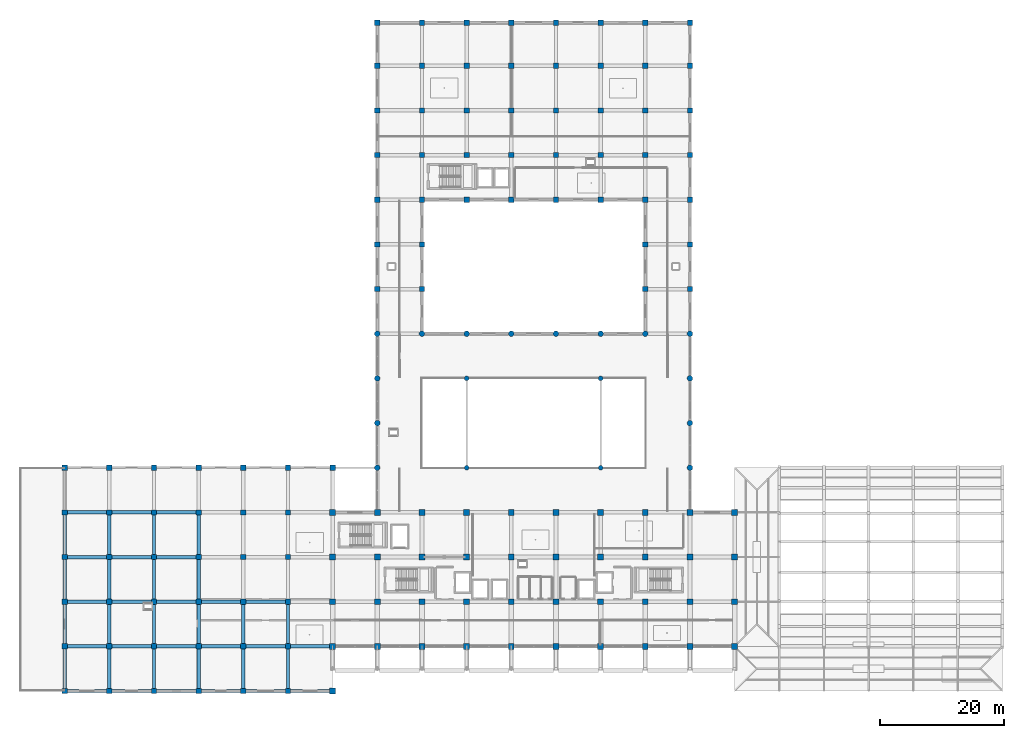
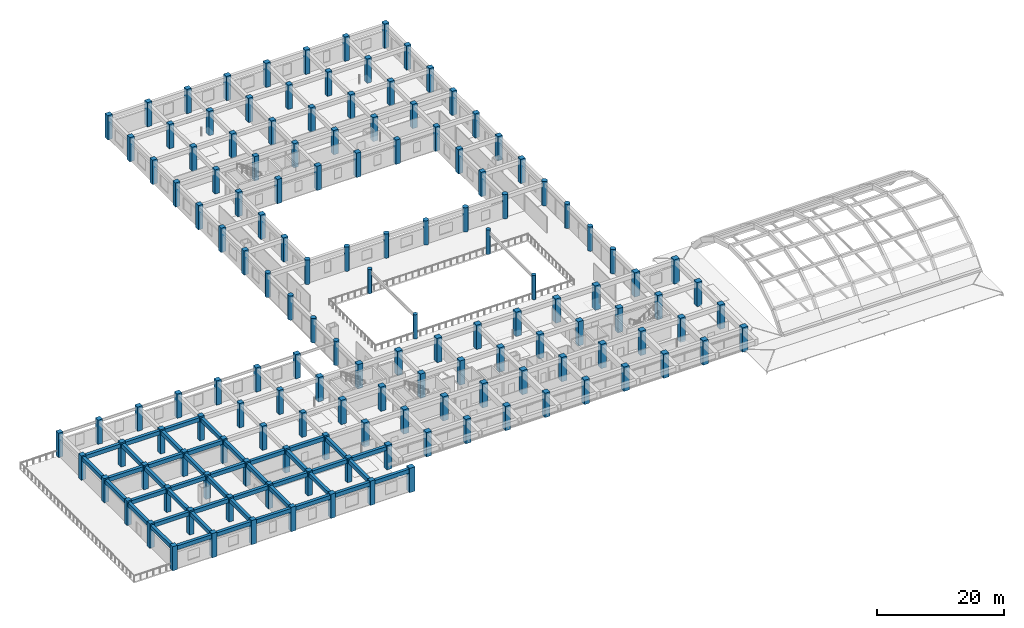
# One storey, part 1 of 54: 144 columns, 43 beams.
"""IFC4 building model written with IfcOpenShell, lengths in metres."""

from ifc_helpers import new_model, si_unit, direction, frame, origin, origin_2d, place, context, subcontext, project, spatial, rectangle, circle, extrude, material, material_profile, profile_set, type_object, element, save


model = new_model("IFC4")

# Units and contexts
model_context = context("Model", 3, precision=1e-05, world=origin(), true_north=direction((0.0, 1.0)))
body_context = subcontext(model_context, "Body", "Model", "MODEL_VIEW")
ifc_project = project(units=[si_unit("LENGTHUNIT", "METRE"), si_unit("AREAUNIT", "SQUARE_METRE"), si_unit("VOLUMEUNIT", "CUBIC_METRE"), si_unit("PLANEANGLEUNIT", "RADIAN"), si_unit("MASSUNIT", "GRAM", prefix="KILO")], contexts=[model_context])

# Site, building, storey
site_placement = place(None, origin())
site = spatial("IfcSite", under=ifc_project, at=site_placement, CompositionType="ELEMENT")
building_placement = place(site_placement, origin())
building = spatial("IfcBuilding", under=site, at=building_placement, Name="Kazehaya Institute of Natural Sciences", CompositionType="ELEMENT")
storey_placement = place(building_placement, frame((0.0, 0.0, 10.43994140625)))
storey = spatial("IfcBuildingStorey", under=building, at=storey_placement, Name="L02", CompositionType="ELEMENT", Elevation=10.43994140625)

# Columns
ifc_material_1 = material(Name="Concrete Fc36", Category="concrete")
ifc_material_profile_1 = material_profile(ifc_material_1, circle(Radius=0.375, at=origin_2d()), Name="RC-DIA750")
ifc_profile_set_1 = profile_set([ifc_material_profile_1], Name="Concrete Fc36")
column_type_1 = type_object("IfcColumnType", Name="COL-DIA750", PredefinedType="COLUMN", material=ifc_profile_set_1)
for number, where, z_axis, x_axis, name in (
    (1, (76.199951171875, 42.800048828125, 0.0), (0.0, 0.0, 1.0), (1.0, 0.0, 0.0), "L02 atrium gallery column 1373"),
    (2, (76.199951171875, 57.199951171875, 0.0), (0.0, 0.0, 1.0), (1.0, 0.0, 0.0), "L02 atrium gallery column 1374"),
    (3, (97.800048828125, 42.800048828125, 0.0), (0.0, 0.0, 1.0), (1.0, 0.0, 0.0), "L02 atrium gallery column 1375"),
    (4, (97.800048828125, 57.199951171875, 0.0), (0.0, 0.0, 1.0), (1.0, 0.0, 0.0), "L02 atrium gallery column 1376"),
):
    element("IfcColumn", number, at=place(storey_placement, frame(where, z_axis=z_axis, x_axis=x_axis)), inside=storey, type_object=column_type_1, Name=name, PredefinedType="COLUMN", context=body_context, shape_type="SweptSolid", body=[
        extrude(circle(Radius=0.375, at=origin_2d()), origin(), (0.0, 0.0, 1.0), 4.68017578125),
    ])
ifc_material_2 = material(Name="Concrete Fc42", Category="concrete")
ifc_material_profile_2 = material_profile(ifc_material_2, circle(Radius=0.449951171875, at=origin_2d()), Name="RC-DIA900")
ifc_profile_set_2 = profile_set([ifc_material_profile_2], Name="Concrete Fc42")
column_type_2 = type_object("IfcColumnType", Name="COL-DIA900", PredefinedType="COLUMN", material=ifc_profile_set_2)
for number, where, z_axis, x_axis, name in (
    (5, (61.800048828125, 42.800048828125, 0.0), (0.0, 0.0, 1.0), (1.0, 0.0, 0.0), "L02 column COL-L02-0739"),
    (6, (112.199951171875, 42.800048828125, 0.0), (0.0, 0.0, 1.0), (1.0, 0.0, 0.0), "L02 column COL-L02-0740"),
    (7, (61.800048828125, 50.0, 0.0), (0.0, 0.0, 1.0), (1.0, 0.0, 0.0), "L02 column COL-L02-0741"),
    (8, (112.199951171875, 50.0, 0.0), (0.0, 0.0, 1.0), (1.0, 0.0, 0.0), "L02 column COL-L02-0742"),
    (9, (61.800048828125, 57.199951171875, 0.0), (0.0, 0.0, 1.0), (1.0, 0.0, 0.0), "L02 column COL-L02-0743"),
    (10, (112.199951171875, 57.199951171875, 0.0), (0.0, 0.0, 1.0), (1.0, 0.0, 0.0), "L02 column COL-L02-0744"),
    (11, (61.800048828125, 64.39990234375, 0.0), (0.0, 0.0, 1.0), (1.0, 0.0, 0.0), "L02 column COL-L02-0745"),
    (12, (69.0, 64.39990234375, 0.0), (0.0, 0.0, 1.0), (1.0, 0.0, 0.0), "L02 column COL-L02-0746"),
    (13, (76.199951171875, 64.39990234375, 0.0), (0.0, 0.0, 1.0), (1.0, 0.0, 0.0), "L02 column COL-L02-0747"),
    (14, (83.39990234375, 64.39990234375, 0.0), (0.0, 0.0, 1.0), (1.0, 0.0, 0.0), "L02 column COL-L02-0748"),
    (15, (90.60009765625, 64.39990234375, 0.0), (0.0, 0.0, 1.0), (1.0, 0.0, 0.0), "L02 column COL-L02-0749"),
    (16, (97.800048828125, 64.39990234375, 0.0), (0.0, 0.0, 1.0), (1.0, 0.0, 0.0), "L02 column COL-L02-0750"),
    (17, (105.0, 64.39990234375, 0.0), (0.0, 0.0, 1.0), (1.0, 0.0, 0.0), "L02 column COL-L02-0751"),
    (18, (112.199951171875, 64.39990234375, 0.0), (0.0, 0.0, 1.0), (1.0, 0.0, 0.0), "L02 column COL-L02-0752"),
):
    element("IfcColumn", number, at=place(storey_placement, frame(where, z_axis=z_axis, x_axis=x_axis)), inside=storey, type_object=column_type_2, Name=name, PredefinedType="COLUMN", context=body_context, shape_type="SweptSolid", body=[
        extrude(circle(Radius=0.449951171875, at=origin_2d()), origin(), (0.0, 0.0, 1.0), 4.68017578125),
    ])
ifc_material_profile_3 = material_profile(ifc_material_2, rectangle(XDim=0.85009765625, YDim=0.85009765625, at=origin_2d()), Name="RC-850x850")
ifc_profile_set_3 = profile_set([ifc_material_profile_3], Name="Concrete Fc42")
column_type_3 = type_object("IfcColumnType", Name="COL-RC850", PredefinedType="COLUMN", material=ifc_profile_set_3)
for number, where, z_axis, x_axis, name in (
    (19, (11.39990234375, 6.800048828125, 0.0), (0.0, 0.0, 1.0), (1.0, 0.0, 0.0), "L02 column COL-L02-0661"),
    (20, (18.60009765625, 6.800048828125, 0.0), (0.0, 0.0, 1.0), (1.0, 0.0, 0.0), "L02 column COL-L02-0662"),
    (21, (25.800048828125, 6.800048828125, 0.0), (0.0, 0.0, 1.0), (1.0, 0.0, 0.0), "L02 column COL-L02-0663"),
    (22, (33.0, 6.800048828125, 0.0), (0.0, 0.0, 1.0), (1.0, 0.0, 0.0), "L02 column COL-L02-0664"),
    (23, (40.199951171875, 6.800048828125, 0.0), (0.0, 0.0, 1.0), (1.0, 0.0, 0.0), "L02 column COL-L02-0665"),
    (24, (47.39990234375, 6.800048828125, 0.0), (0.0, 0.0, 1.0), (1.0, 0.0, 0.0), "L02 column COL-L02-0666"),
    (25, (11.39990234375, 14.0, 0.0), (0.0, 0.0, 1.0), (1.0, 0.0, 0.0), "L02 column COL-L02-0668"),
    (26, (18.60009765625, 14.0, 0.0), (0.0, 0.0, 1.0), (1.0, 0.0, 0.0), "L02 column COL-L02-0669"),
    (27, (25.800048828125, 14.0, 0.0), (0.0, 0.0, 1.0), (1.0, 0.0, 0.0), "L02 column COL-L02-0670"),
    (28, (33.0, 14.0, 0.0), (0.0, 0.0, 1.0), (1.0, 0.0, 0.0), "L02 column COL-L02-0671"),
    (29, (40.199951171875, 14.0, 0.0), (0.0, 0.0, 1.0), (1.0, 0.0, 0.0), "L02 column COL-L02-0672"),
    (30, (47.39990234375, 14.0, 0.0), (0.0, 0.0, 1.0), (1.0, 0.0, 0.0), "L02 column COL-L02-0673"),
    (31, (11.39990234375, 21.199951171875, 0.0), (0.0, 0.0, 1.0), (1.0, 0.0, 0.0), "L02 column COL-L02-0684"),
    (32, (18.60009765625, 21.199951171875, 0.0), (0.0, 0.0, 1.0), (1.0, 0.0, 0.0), "L02 column COL-L02-0685"),
    (33, (25.800048828125, 21.199951171875, 0.0), (0.0, 0.0, 1.0), (1.0, 0.0, 0.0), "L02 column COL-L02-0686"),
    (34, (33.0, 21.199951171875, 0.0), (0.0, 0.0, 1.0), (1.0, 0.0, 0.0), "L02 column COL-L02-0687"),
    (35, (40.199951171875, 21.199951171875, 0.0), (0.0, 0.0, 1.0), (1.0, 0.0, 0.0), "L02 column COL-L02-0688"),
    (36, (47.39990234375, 21.199951171875, 0.0), (0.0, 0.0, 1.0), (1.0, 0.0, 0.0), "L02 column COL-L02-0689"),
    (37, (11.39990234375, 28.39990234375, 0.0), (0.0, 0.0, 1.0), (1.0, 0.0, 0.0), "L02 column COL-L02-0700"),
    (38, (18.60009765625, 28.39990234375, 0.0), (0.0, 0.0, 1.0), (1.0, 0.0, 0.0), "L02 column COL-L02-0701"),
    (39, (25.800048828125, 28.39990234375, 0.0), (0.0, 0.0, 1.0), (1.0, 0.0, 0.0), "L02 column COL-L02-0702"),
    (40, (33.0, 28.39990234375, 0.0), (0.0, 0.0, 1.0), (1.0, 0.0, 0.0), "L02 column COL-L02-0703"),
    (41, (40.199951171875, 28.39990234375, 0.0), (0.0, 0.0, 1.0), (1.0, 0.0, 0.0), "L02 column COL-L02-0704"),
    (42, (47.39990234375, 28.39990234375, 0.0), (0.0, 0.0, 1.0), (1.0, 0.0, 0.0), "L02 column COL-L02-0705"),
    (43, (11.39990234375, 35.60009765625, 0.0), (0.0, 0.0, 1.0), (1.0, 0.0, 0.0), "L02 column COL-L02-0716"),
    (44, (18.60009765625, 35.60009765625, 0.0), (0.0, 0.0, 1.0), (1.0, 0.0, 0.0), "L02 column COL-L02-0717"),
    (45, (25.800048828125, 35.60009765625, 0.0), (0.0, 0.0, 1.0), (1.0, 0.0, 0.0), "L02 column COL-L02-0718"),
    (46, (33.0, 35.60009765625, 0.0), (0.0, 0.0, 1.0), (1.0, 0.0, 0.0), "L02 column COL-L02-0719"),
    (47, (40.199951171875, 35.60009765625, 0.0), (0.0, 0.0, 1.0), (1.0, 0.0, 0.0), "L02 column COL-L02-0720"),
    (48, (47.39990234375, 35.60009765625, 0.0), (0.0, 0.0, 1.0), (1.0, 0.0, 0.0), "L02 column COL-L02-0721"),
    (49, (11.39990234375, 42.800048828125, 0.0), (0.0, 0.0, 1.0), (1.0, 0.0, 0.0), "L02 column COL-L02-0732"),
    (50, (18.60009765625, 42.800048828125, 0.0), (0.0, 0.0, 1.0), (1.0, 0.0, 0.0), "L02 column COL-L02-0733"),
    (51, (25.800048828125, 42.800048828125, 0.0), (0.0, 0.0, 1.0), (1.0, 0.0, 0.0), "L02 column COL-L02-0734"),
    (52, (33.0, 42.800048828125, 0.0), (0.0, 0.0, 1.0), (1.0, 0.0, 0.0), "L02 column COL-L02-0735"),
    (53, (40.199951171875, 42.800048828125, 0.0), (0.0, 0.0, 1.0), (1.0, 0.0, 0.0), "L02 column COL-L02-0736"),
    (54, (47.39990234375, 42.800048828125, 0.0), (0.0, 0.0, 1.0), (1.0, 0.0, 0.0), "L02 column COL-L02-0737"),
    (55, (54.60009765625, 42.800048828125, 0.0), (0.0, 0.0, 1.0), (1.0, 0.0, 0.0), "L02 column COL-L02-0738"),
    (56, (61.800048828125, 71.60009765625, 0.0), (0.0, 0.0, 1.0), (1.0, 0.0, 0.0), "L02 column COL-L02-0753"),
    (57, (69.0, 71.60009765625, 0.0), (0.0, 0.0, 1.0), (1.0, 0.0, 0.0), "L02 column COL-L02-0754"),
    (58, (105.0, 71.60009765625, 0.0), (0.0, 0.0, 1.0), (1.0, 0.0, 0.0), "L02 column COL-L02-0755"),
    (59, (112.199951171875, 71.60009765625, 0.0), (0.0, 0.0, 1.0), (1.0, 0.0, 0.0), "L02 column COL-L02-0756"),
    (60, (61.800048828125, 78.800048828125, 0.0), (0.0, 0.0, 1.0), (1.0, 0.0, 0.0), "L02 column COL-L02-0757"),
    (61, (69.0, 78.800048828125, 0.0), (0.0, 0.0, 1.0), (1.0, 0.0, 0.0), "L02 column COL-L02-0758"),
    (62, (105.0, 78.800048828125, 0.0), (0.0, 0.0, 1.0), (1.0, 0.0, 0.0), "L02 column COL-L02-0759"),
    (63, (112.199951171875, 78.800048828125, 0.0), (0.0, 0.0, 1.0), (1.0, 0.0, 0.0), "L02 column COL-L02-0760"),
    (64, (61.800048828125, 86.0, 0.0), (0.0, 0.0, 1.0), (1.0, 0.0, 0.0), "L02 column COL-L02-0761"),
    (65, (69.0, 86.0, 0.0), (0.0, 0.0, 1.0), (1.0, 0.0, 0.0), "L02 column COL-L02-0762"),
    (66, (76.199951171875, 86.0, 0.0), (0.0, 0.0, 1.0), (1.0, 0.0, 0.0), "L02 column COL-L02-0763"),
    (67, (83.39990234375, 86.0, 0.0), (0.0, 0.0, 1.0), (1.0, 0.0, 0.0), "L02 column COL-L02-0764"),
    (68, (90.60009765625, 86.0, 0.0), (0.0, 0.0, 1.0), (1.0, 0.0, 0.0), "L02 column COL-L02-0765"),
    (69, (97.800048828125, 86.0, 0.0), (0.0, 0.0, 1.0), (1.0, 0.0, 0.0), "L02 column COL-L02-0766"),
    (70, (105.0, 86.0, 0.0), (0.0, 0.0, 1.0), (1.0, 0.0, 0.0), "L02 column COL-L02-0767"),
    (71, (112.199951171875, 86.0, 0.0), (0.0, 0.0, 1.0), (1.0, 0.0, 0.0), "L02 column COL-L02-0768"),
    (72, (61.800048828125, 93.199951171875, 0.0), (0.0, 0.0, 1.0), (1.0, 0.0, 0.0), "L02 column COL-L02-0769"),
    (73, (69.0, 93.199951171875, 0.0), (0.0, 0.0, 1.0), (1.0, 0.0, 0.0), "L02 column COL-L02-0770"),
    (74, (76.199951171875, 93.199951171875, 0.0), (0.0, 0.0, 1.0), (1.0, 0.0, 0.0), "L02 column COL-L02-0771"),
    (75, (83.39990234375, 93.199951171875, 0.0), (0.0, 0.0, 1.0), (1.0, 0.0, 0.0), "L02 column COL-L02-0772"),
    (76, (90.60009765625, 93.199951171875, 0.0), (0.0, 0.0, 1.0), (1.0, 0.0, 0.0), "L02 column COL-L02-0773"),
    (77, (97.800048828125, 93.199951171875, 0.0), (0.0, 0.0, 1.0), (1.0, 0.0, 0.0), "L02 column COL-L02-0774"),
    (78, (105.0, 93.199951171875, 0.0), (0.0, 0.0, 1.0), (1.0, 0.0, 0.0), "L02 column COL-L02-0775"),
    (79, (112.199951171875, 93.199951171875, 0.0), (0.0, 0.0, 1.0), (1.0, 0.0, 0.0), "L02 column COL-L02-0776"),
    (80, (61.800048828125, 100.39990234375, 0.0), (0.0, 0.0, 1.0), (1.0, 0.0, 0.0), "L02 column COL-L02-0777"),
    (81, (69.0, 100.39990234375, 0.0), (0.0, 0.0, 1.0), (1.0, 0.0, 0.0), "L02 column COL-L02-0778"),
    (82, (76.199951171875, 100.39990234375, 0.0), (0.0, 0.0, 1.0), (1.0, 0.0, 0.0), "L02 column COL-L02-0779"),
    (83, (83.39990234375, 100.39990234375, 0.0), (0.0, 0.0, 1.0), (1.0, 0.0, 0.0), "L02 column COL-L02-0780"),
    (84, (90.60009765625, 100.39990234375, 0.0), (0.0, 0.0, 1.0), (1.0, 0.0, 0.0), "L02 column COL-L02-0781"),
    (85, (97.800048828125, 100.39990234375, 0.0), (0.0, 0.0, 1.0), (1.0, 0.0, 0.0), "L02 column COL-L02-0782"),
    (86, (105.0, 100.39990234375, 0.0), (0.0, 0.0, 1.0), (1.0, 0.0, 0.0), "L02 column COL-L02-0783"),
    (87, (112.199951171875, 100.39990234375, 0.0), (0.0, 0.0, 1.0), (1.0, 0.0, 0.0), "L02 column COL-L02-0784"),
    (88, (61.800048828125, 107.60009765625, 0.0), (0.0, 0.0, 1.0), (1.0, 0.0, 0.0), "L02 column COL-L02-0785"),
    (89, (69.0, 107.60009765625, 0.0), (0.0, 0.0, 1.0), (1.0, 0.0, 0.0), "L02 column COL-L02-0786"),
    (90, (76.199951171875, 107.60009765625, 0.0), (0.0, 0.0, 1.0), (1.0, 0.0, 0.0), "L02 column COL-L02-0787"),
    (91, (83.39990234375, 107.60009765625, 0.0), (0.0, 0.0, 1.0), (1.0, 0.0, 0.0), "L02 column COL-L02-0788"),
    (92, (90.60009765625, 107.60009765625, 0.0), (0.0, 0.0, 1.0), (1.0, 0.0, 0.0), "L02 column COL-L02-0789"),
    (93, (97.800048828125, 107.60009765625, 0.0), (0.0, 0.0, 1.0), (1.0, 0.0, 0.0), "L02 column COL-L02-0790"),
    (94, (105.0, 107.60009765625, 0.0), (0.0, 0.0, 1.0), (1.0, 0.0, 0.0), "L02 column COL-L02-0791"),
    (95, (112.199951171875, 107.60009765625, 0.0), (0.0, 0.0, 1.0), (1.0, 0.0, 0.0), "L02 column COL-L02-0792"),
    (96, (61.800048828125, 114.550048828125, 0.0), (0.0, 0.0, 1.0), (1.0, 0.0, 0.0), "L02 column COL-L02-0793"),
    (97, (69.0, 114.550048828125, 0.0), (0.0, 0.0, 1.0), (1.0, 0.0, 0.0), "L02 column COL-L02-0794"),
    (98, (76.199951171875, 114.550048828125, 0.0), (0.0, 0.0, 1.0), (1.0, 0.0, 0.0), "L02 column COL-L02-0795"),
    (99, (83.39990234375, 114.550048828125, 0.0), (0.0, 0.0, 1.0), (1.0, 0.0, 0.0), "L02 column COL-L02-0796"),
    (100, (90.60009765625, 114.550048828125, 0.0), (0.0, 0.0, 1.0), (1.0, 0.0, 0.0), "L02 column COL-L02-0797"),
    (101, (97.800048828125, 114.550048828125, 0.0), (0.0, 0.0, 1.0), (1.0, 0.0, 0.0), "L02 column COL-L02-0798"),
    (102, (105.0, 114.550048828125, 0.0), (0.0, 0.0, 1.0), (1.0, 0.0, 0.0), "L02 column COL-L02-0799"),
    (103, (112.199951171875, 114.550048828125, 0.0), (0.0, 0.0, 1.0), (1.0, 0.0, 0.0), "L02 column COL-L02-0800"),
):
    element("IfcColumn", number, at=place(storey_placement, frame(where, z_axis=z_axis, x_axis=x_axis)), inside=storey, type_object=column_type_3, Name=name, PredefinedType="COLUMN", context=body_context, shape_type="SweptSolid", body=[
        extrude(rectangle(XDim=0.85009765625, YDim=0.85009765625, at=origin_2d()), origin(), (0.0, 0.0, 1.0), 4.68017578125),
    ])
ifc_material_profile_4 = material_profile(ifc_material_2, rectangle(XDim=0.949951171875, YDim=0.949951171875, at=origin_2d()), Name="RC-950x950")
ifc_profile_set_4 = profile_set([ifc_material_profile_4], Name="Concrete Fc42")
column_type_4 = type_object("IfcColumnType", Name="COL-RC950", PredefinedType="COLUMN", material=ifc_profile_set_4)
for number, where, z_axis, x_axis, name in (
    (104, (54.60009765625, 6.800048828125, 0.0), (0.0, 0.0, 1.0), (1.0, 0.0, 0.0), "L02 column COL-L02-0667"),
    (105, (54.60009765625, 14.0, 0.0), (0.0, 0.0, 1.0), (1.0, 0.0, 0.0), "L02 column COL-L02-0674"),
    (106, (61.800048828125, 14.0, 0.0), (0.0, 0.0, 1.0), (1.0, 0.0, 0.0), "L02 column COL-L02-0675"),
    (107, (69.0, 14.0, 0.0), (0.0, 0.0, 1.0), (1.0, 0.0, 0.0), "L02 column COL-L02-0676"),
    (108, (76.199951171875, 14.0, 0.0), (0.0, 0.0, 1.0), (1.0, 0.0, 0.0), "L02 column COL-L02-0677"),
    (109, (83.39990234375, 14.0, 0.0), (0.0, 0.0, 1.0), (1.0, 0.0, 0.0), "L02 column COL-L02-0678"),
    (110, (90.60009765625, 14.0, 0.0), (0.0, 0.0, 1.0), (1.0, 0.0, 0.0), "L02 column COL-L02-0679"),
    (111, (97.800048828125, 14.0, 0.0), (0.0, 0.0, 1.0), (1.0, 0.0, 0.0), "L02 column COL-L02-0680"),
    (112, (105.0, 14.0, 0.0), (0.0, 0.0, 1.0), (1.0, 0.0, 0.0), "L02 column COL-L02-0681"),
    (113, (112.199951171875, 14.0, 0.0), (0.0, 0.0, 1.0), (1.0, 0.0, 0.0), "L02 column COL-L02-0682"),
    (114, (119.39990234375, 14.0, 0.0), (0.0, 0.0, 1.0), (1.0, 0.0, 0.0), "L02 column COL-L02-0683"),
    (115, (54.60009765625, 21.199951171875, 0.0), (0.0, 0.0, 1.0), (1.0, 0.0, 0.0), "L02 column COL-L02-0690"),
    (116, (61.800048828125, 21.199951171875, 0.0), (0.0, 0.0, 1.0), (1.0, 0.0, 0.0), "L02 column COL-L02-0691"),
    (117, (69.0, 21.199951171875, 0.0), (0.0, 0.0, 1.0), (1.0, 0.0, 0.0), "L02 column COL-L02-0692"),
    (118, (76.199951171875, 21.199951171875, 0.0), (0.0, 0.0, 1.0), (1.0, 0.0, 0.0), "L02 column COL-L02-0693"),
    (119, (83.39990234375, 21.199951171875, 0.0), (0.0, 0.0, 1.0), (1.0, 0.0, 0.0), "L02 column COL-L02-0694"),
    (120, (90.60009765625, 21.199951171875, 0.0), (0.0, 0.0, 1.0), (1.0, 0.0, 0.0), "L02 column COL-L02-0695"),
    (121, (97.800048828125, 21.199951171875, 0.0), (0.0, 0.0, 1.0), (1.0, 0.0, 0.0), "L02 column COL-L02-0696"),
    (122, (105.0, 21.199951171875, 0.0), (0.0, 0.0, 1.0), (1.0, 0.0, 0.0), "L02 column COL-L02-0697"),
    (123, (112.199951171875, 21.199951171875, 0.0), (0.0, 0.0, 1.0), (1.0, 0.0, 0.0), "L02 column COL-L02-0698"),
    (124, (119.39990234375, 21.199951171875, 0.0), (0.0, 0.0, 1.0), (1.0, 0.0, 0.0), "L02 column COL-L02-0699"),
    (125, (54.60009765625, 28.39990234375, 0.0), (0.0, 0.0, 1.0), (1.0, 0.0, 0.0), "L02 column COL-L02-0706"),
    (126, (61.800048828125, 28.39990234375, 0.0), (0.0, 0.0, 1.0), (1.0, 0.0, 0.0), "L02 column COL-L02-0707"),
    (127, (69.0, 28.39990234375, 0.0), (0.0, 0.0, 1.0), (1.0, 0.0, 0.0), "L02 column COL-L02-0708"),
    (128, (76.199951171875, 28.39990234375, 0.0), (0.0, 0.0, 1.0), (1.0, 0.0, 0.0), "L02 column COL-L02-0709"),
    (129, (83.39990234375, 28.39990234375, 0.0), (0.0, 0.0, 1.0), (1.0, 0.0, 0.0), "L02 column COL-L02-0710"),
    (130, (90.60009765625, 28.39990234375, 0.0), (0.0, 0.0, 1.0), (1.0, 0.0, 0.0), "L02 column COL-L02-0711"),
    (131, (97.800048828125, 28.39990234375, 0.0), (0.0, 0.0, 1.0), (1.0, 0.0, 0.0), "L02 column COL-L02-0712"),
    (132, (105.0, 28.39990234375, 0.0), (0.0, 0.0, 1.0), (1.0, 0.0, 0.0), "L02 column COL-L02-0713"),
    (133, (112.199951171875, 28.39990234375, 0.0), (0.0, 0.0, 1.0), (1.0, 0.0, 0.0), "L02 column COL-L02-0714"),
    (134, (119.39990234375, 28.39990234375, 0.0), (0.0, 0.0, 1.0), (1.0, 0.0, 0.0), "L02 column COL-L02-0715"),
    (135, (54.60009765625, 35.60009765625, 0.0), (0.0, 0.0, 1.0), (1.0, 0.0, 0.0), "L02 column COL-L02-0722"),
    (136, (61.800048828125, 35.60009765625, 0.0), (0.0, 0.0, 1.0), (1.0, 0.0, 0.0), "L02 column COL-L02-0723"),
    (137, (69.0, 35.60009765625, 0.0), (0.0, 0.0, 1.0), (1.0, 0.0, 0.0), "L02 column COL-L02-0724"),
    (138, (76.199951171875, 35.60009765625, 0.0), (0.0, 0.0, 1.0), (1.0, 0.0, 0.0), "L02 column COL-L02-0725"),
    (139, (83.39990234375, 35.60009765625, 0.0), (0.0, 0.0, 1.0), (1.0, 0.0, 0.0), "L02 column COL-L02-0726"),
    (140, (90.60009765625, 35.60009765625, 0.0), (0.0, 0.0, 1.0), (1.0, 0.0, 0.0), "L02 column COL-L02-0727"),
    (141, (97.800048828125, 35.60009765625, 0.0), (0.0, 0.0, 1.0), (1.0, 0.0, 0.0), "L02 column COL-L02-0728"),
    (142, (105.0, 35.60009765625, 0.0), (0.0, 0.0, 1.0), (1.0, 0.0, 0.0), "L02 column COL-L02-0729"),
    (143, (112.199951171875, 35.60009765625, 0.0), (0.0, 0.0, 1.0), (1.0, 0.0, 0.0), "L02 column COL-L02-0730"),
    (144, (119.39990234375, 35.60009765625, 0.0), (0.0, 0.0, 1.0), (1.0, 0.0, 0.0), "L02 column COL-L02-0731"),
):
    element("IfcColumn", number, at=place(storey_placement, frame(where, z_axis=z_axis, x_axis=x_axis)), inside=storey, type_object=column_type_4, Name=name, PredefinedType="COLUMN", context=body_context, shape_type="SweptSolid", body=[
        extrude(rectangle(XDim=0.949951171875, YDim=0.949951171875, at=origin_2d()), origin(), (0.0, 0.0, 1.0), 4.68017578125),
    ])

# Beams
ifc_material_profile_5 = material_profile(ifc_material_1, rectangle(XDim=0.550048828125, YDim=0.75, at=origin_2d()), Name="RC-550x750")
ifc_profile_set_5 = profile_set([ifc_material_profile_5], Name="Concrete Fc36")
beam_type = type_object("IfcBeamType", Name="BM-G-550x750", PredefinedType="BEAM", material=ifc_profile_set_5)
for number, where, z_axis, x_axis, name in (
    (145, (11.824951171875, 6.800048828125, 4.03515625), (1.0, 0.0, 0.0), (0.0, 1.0, 0.0), "L02 primary X girder BMX-L02-114-68"),
    (146, (19.02490234375, 6.800048828125, 4.03515625), (1.0, 0.0, 0.0), (0.0, 1.0, 0.0), "L02 primary X girder BMX-L02-186-68"),
):
    element("IfcBeam", number, at=place(storey_placement, frame(where, z_axis=z_axis, x_axis=x_axis)), inside=storey, type_object=beam_type, Name=name, PredefinedType="BEAM", context=body_context, shape_type="SweptSolid", body=[
        extrude(rectangle(XDim=0.550048828125, YDim=0.75, at=origin_2d()), origin(), (0.0, 0.0, 1.0), 6.35009765625),
    ])
for number, where, z_axis, x_axis, name in (
    (147, (26.22509765625, 6.800048828125, 4.03515625), (1.0, 0.0, 0.0), (0.0, 1.0, 0.0), "L02 primary X girder BMX-L02-258-68"),
    (148, (33.425048828125, 6.800048828125, 4.03515625), (1.0, 0.0, 0.0), (0.0, 1.0, 0.0), "L02 primary X girder BMX-L02-330-68"),
):
    element("IfcBeam", number, at=place(storey_placement, frame(where, z_axis=z_axis, x_axis=x_axis)), inside=storey, type_object=beam_type, Name=name, PredefinedType="BEAM", context=body_context, shape_type="SweptSolid", body=[
        extrude(rectangle(XDim=0.550048828125, YDim=0.75, at=origin_2d()), origin(), (0.0, 0.0, 1.0), 6.349853515625),
    ])
beam_1_placement = place(storey_placement, frame((40.625, 6.800048828125, 4.03515625), z_axis=(1.0, 0.0, 0.0), x_axis=(0.0, 1.0, 0.0)))
element("IfcBeam", 149, at=beam_1_placement, inside=storey, type_object=beam_type, Name="L02 primary X girder BMX-L02-402-68", PredefinedType="BEAM", context=body_context, shape_type="SweptSolid", body=[
    extrude(rectangle(XDim=0.550048828125, YDim=0.75, at=origin_2d()), origin(), (0.0, 0.0, 1.0), 6.35009765625),
])
beam_2_placement = place(storey_placement, frame((47.824951171875, 6.800048828125, 4.03515625), z_axis=(1.0, 0.0, 0.0), x_axis=(0.0, 1.0, 0.0)))
element("IfcBeam", 150, at=beam_2_placement, inside=storey, type_object=beam_type, Name="L02 primary X girder BMX-L02-474-68", PredefinedType="BEAM", context=body_context, shape_type="SweptSolid", body=[
    extrude(rectangle(XDim=0.550048828125, YDim=0.75, at=origin_2d()), origin(), (0.0, 0.0, 1.0), 6.300048828125),
])
for number, where, z_axis, x_axis, name in (
    (151, (11.824951171875, 14.0, 4.03515625), (1.0, 0.0, 0.0), (0.0, 1.0, 0.0), "L02 primary X girder BMX-L02-114-140"),
    (152, (19.02490234375, 14.0, 4.03515625), (1.0, 0.0, 0.0), (0.0, 1.0, 0.0), "L02 primary X girder BMX-L02-186-140"),
):
    element("IfcBeam", number, at=place(storey_placement, frame(where, z_axis=z_axis, x_axis=x_axis)), inside=storey, type_object=beam_type, Name=name, PredefinedType="BEAM", context=body_context, shape_type="SweptSolid", body=[
        extrude(rectangle(XDim=0.550048828125, YDim=0.75, at=origin_2d()), origin(), (0.0, 0.0, 1.0), 6.35009765625),
    ])
for number, where, z_axis, x_axis, name in (
    (153, (26.22509765625, 14.0, 4.03515625), (1.0, 0.0, 0.0), (0.0, 1.0, 0.0), "L02 primary X girder BMX-L02-258-140"),
    (154, (33.425048828125, 14.0, 4.03515625), (1.0, 0.0, 0.0), (0.0, 1.0, 0.0), "L02 primary X girder BMX-L02-330-140"),
):
    element("IfcBeam", number, at=place(storey_placement, frame(where, z_axis=z_axis, x_axis=x_axis)), inside=storey, type_object=beam_type, Name=name, PredefinedType="BEAM", context=body_context, shape_type="SweptSolid", body=[
        extrude(rectangle(XDim=0.550048828125, YDim=0.75, at=origin_2d()), origin(), (0.0, 0.0, 1.0), 6.349853515625),
    ])
beam_3_placement = place(storey_placement, frame((40.625, 14.0, 4.03515625), z_axis=(1.0, 0.0, 0.0), x_axis=(0.0, 1.0, 0.0)))
element("IfcBeam", 155, at=beam_3_placement, inside=storey, type_object=beam_type, Name="L02 primary X girder BMX-L02-402-140", PredefinedType="BEAM", context=body_context, shape_type="SweptSolid", body=[
    extrude(rectangle(XDim=0.550048828125, YDim=0.75, at=origin_2d()), origin(), (0.0, 0.0, 1.0), 6.35009765625),
])
beam_4_placement = place(storey_placement, frame((47.824951171875, 14.0, 4.03515625), z_axis=(1.0, 0.0, 0.0), x_axis=(0.0, 1.0, 0.0)))
element("IfcBeam", 156, at=beam_4_placement, inside=storey, type_object=beam_type, Name="L02 primary X girder BMX-L02-474-140", PredefinedType="BEAM", context=body_context, shape_type="SweptSolid", body=[
    extrude(rectangle(XDim=0.550048828125, YDim=0.75, at=origin_2d()), origin(), (0.0, 0.0, 1.0), 6.300048828125),
])
for number, where, z_axis, x_axis, name in (
    (157, (11.824951171875, 21.199951171875, 4.03515625), (1.0, 0.0, 0.0), (0.0, 1.0, 0.0), "L02 primary X girder BMX-L02-114-212"),
    (158, (19.02490234375, 21.199951171875, 4.03515625), (1.0, 0.0, 0.0), (0.0, 1.0, 0.0), "L02 primary X girder BMX-L02-186-212"),
):
    element("IfcBeam", number, at=place(storey_placement, frame(where, z_axis=z_axis, x_axis=x_axis)), inside=storey, type_object=beam_type, Name=name, PredefinedType="BEAM", context=body_context, shape_type="SweptSolid", body=[
        extrude(rectangle(XDim=0.550048828125, YDim=0.75, at=origin_2d()), origin(), (0.0, 0.0, 1.0), 6.35009765625),
    ])
for number, where, z_axis, x_axis, name in (
    (159, (26.22509765625, 21.199951171875, 4.03515625), (1.0, 0.0, 0.0), (0.0, 1.0, 0.0), "L02 primary X girder BMX-L02-258-212"),
    (160, (33.425048828125, 21.199951171875, 4.03515625), (1.0, 0.0, 0.0), (0.0, 1.0, 0.0), "L02 primary X girder BMX-L02-330-212"),
):
    element("IfcBeam", number, at=place(storey_placement, frame(where, z_axis=z_axis, x_axis=x_axis)), inside=storey, type_object=beam_type, Name=name, PredefinedType="BEAM", context=body_context, shape_type="SweptSolid", body=[
        extrude(rectangle(XDim=0.550048828125, YDim=0.75, at=origin_2d()), origin(), (0.0, 0.0, 1.0), 6.349853515625),
    ])
for number, where, z_axis, x_axis, name in (
    (161, (40.625, 21.199951171875, 4.03515625), (1.0, 0.0, 0.0), (0.0, 1.0, 0.0), "L02 primary X girder BMX-L02-402-212"),
    (162, (11.824951171875, 28.39990234375, 4.03515625), (1.0, 0.0, 0.0), (0.0, 1.0, 0.0), "L02 primary X girder BMX-L02-114-284"),
    (163, (19.02490234375, 28.39990234375, 4.03515625), (1.0, 0.0, 0.0), (0.0, 1.0, 0.0), "L02 primary X girder BMX-L02-186-284"),
):
    element("IfcBeam", number, at=place(storey_placement, frame(where, z_axis=z_axis, x_axis=x_axis)), inside=storey, type_object=beam_type, Name=name, PredefinedType="BEAM", context=body_context, shape_type="SweptSolid", body=[
        extrude(rectangle(XDim=0.550048828125, YDim=0.75, at=origin_2d()), origin(), (0.0, 0.0, 1.0), 6.35009765625),
    ])
beam_5_placement = place(storey_placement, frame((26.22509765625, 28.39990234375, 4.03515625), z_axis=(1.0, 0.0, 0.0), x_axis=(0.0, 1.0, 0.0)))
element("IfcBeam", 164, at=beam_5_placement, inside=storey, type_object=beam_type, Name="L02 primary X girder BMX-L02-258-284", PredefinedType="BEAM", context=body_context, shape_type="SweptSolid", body=[
    extrude(rectangle(XDim=0.550048828125, YDim=0.75, at=origin_2d()), origin(), (0.0, 0.0, 1.0), 6.349853515625),
])
for number, where, z_axis, x_axis, name in (
    (165, (11.824951171875, 35.60009765625, 4.03515625), (1.0, 0.0, 0.0), (0.0, 1.0, 0.0), "L02 primary X girder BMX-L02-114-356"),
    (166, (19.02490234375, 35.60009765625, 4.03515625), (1.0, 0.0, 0.0), (0.0, 1.0, 0.0), "L02 primary X girder BMX-L02-186-356"),
):
    element("IfcBeam", number, at=place(storey_placement, frame(where, z_axis=z_axis, x_axis=x_axis)), inside=storey, type_object=beam_type, Name=name, PredefinedType="BEAM", context=body_context, shape_type="SweptSolid", body=[
        extrude(rectangle(XDim=0.550048828125, YDim=0.75, at=origin_2d()), origin(), (0.0, 0.0, 1.0), 6.35009765625),
    ])
for number, where, z_axis, x_axis, name in (
    (167, (26.22509765625, 35.60009765625, 4.03515625), (1.0, 0.0, 0.0), (0.0, 1.0, 0.0), "L02 primary X girder BMX-L02-258-356"),
    (168, (11.39990234375, 7.22509765625, 4.03515625), (0.0, 1.0, 0.0), (-1.0, 0.0, 0.0), "L02 primary Y girder BMY-L02-114-68"),
    (169, (11.39990234375, 14.425048828125, 4.03515625), (0.0, 1.0, 0.0), (-1.0, 0.0, 0.0), "L02 primary Y girder BMY-L02-114-140"),
):
    element("IfcBeam", number, at=place(storey_placement, frame(where, z_axis=z_axis, x_axis=x_axis)), inside=storey, type_object=beam_type, Name=name, PredefinedType="BEAM", context=body_context, shape_type="SweptSolid", body=[
        extrude(rectangle(XDim=0.550048828125, YDim=0.75, at=origin_2d()), origin(), (0.0, 0.0, 1.0), 6.349853515625),
    ])
for number, where, z_axis, x_axis, name in (
    (170, (11.39990234375, 21.625, 4.03515625), (0.0, 1.0, 0.0), (-1.0, 0.0, 0.0), "L02 primary Y girder BMY-L02-114-212"),
    (171, (11.39990234375, 28.824951171875, 4.03515625), (0.0, 1.0, 0.0), (-1.0, 0.0, 0.0), "L02 primary Y girder BMY-L02-114-284"),
):
    element("IfcBeam", number, at=place(storey_placement, frame(where, z_axis=z_axis, x_axis=x_axis)), inside=storey, type_object=beam_type, Name=name, PredefinedType="BEAM", context=body_context, shape_type="SweptSolid", body=[
        extrude(rectangle(XDim=0.550048828125, YDim=0.75, at=origin_2d()), origin(), (0.0, 0.0, 1.0), 6.35009765625),
    ])
for number, where, z_axis, x_axis, name in (
    (172, (18.60009765625, 7.22509765625, 4.03515625), (0.0, 1.0, 0.0), (-1.0, 0.0, 0.0), "L02 primary Y girder BMY-L02-186-68"),
    (173, (18.60009765625, 14.425048828125, 4.03515625), (0.0, 1.0, 0.0), (-1.0, 0.0, 0.0), "L02 primary Y girder BMY-L02-186-140"),
):
    element("IfcBeam", number, at=place(storey_placement, frame(where, z_axis=z_axis, x_axis=x_axis)), inside=storey, type_object=beam_type, Name=name, PredefinedType="BEAM", context=body_context, shape_type="SweptSolid", body=[
        extrude(rectangle(XDim=0.550048828125, YDim=0.75, at=origin_2d()), origin(), (0.0, 0.0, 1.0), 6.349853515625),
    ])
for number, where, z_axis, x_axis, name in (
    (174, (18.60009765625, 21.625, 4.03515625), (0.0, 1.0, 0.0), (-1.0, 0.0, 0.0), "L02 primary Y girder BMY-L02-186-212"),
    (175, (18.60009765625, 28.824951171875, 4.03515625), (0.0, 1.0, 0.0), (-1.0, 0.0, 0.0), "L02 primary Y girder BMY-L02-186-284"),
):
    element("IfcBeam", number, at=place(storey_placement, frame(where, z_axis=z_axis, x_axis=x_axis)), inside=storey, type_object=beam_type, Name=name, PredefinedType="BEAM", context=body_context, shape_type="SweptSolid", body=[
        extrude(rectangle(XDim=0.550048828125, YDim=0.75, at=origin_2d()), origin(), (0.0, 0.0, 1.0), 6.35009765625),
    ])
for number, where, z_axis, x_axis, name in (
    (176, (25.800048828125, 7.22509765625, 4.03515625), (0.0, 1.0, 0.0), (-1.0, 0.0, 0.0), "L02 primary Y girder BMY-L02-258-68"),
    (177, (25.800048828125, 14.425048828125, 4.03515625), (0.0, 1.0, 0.0), (-1.0, 0.0, 0.0), "L02 primary Y girder BMY-L02-258-140"),
):
    element("IfcBeam", number, at=place(storey_placement, frame(where, z_axis=z_axis, x_axis=x_axis)), inside=storey, type_object=beam_type, Name=name, PredefinedType="BEAM", context=body_context, shape_type="SweptSolid", body=[
        extrude(rectangle(XDim=0.550048828125, YDim=0.75, at=origin_2d()), origin(), (0.0, 0.0, 1.0), 6.349853515625),
    ])
for number, where, z_axis, x_axis, name in (
    (178, (25.800048828125, 21.625, 4.03515625), (0.0, 1.0, 0.0), (-1.0, 0.0, 0.0), "L02 primary Y girder BMY-L02-258-212"),
    (179, (25.800048828125, 28.824951171875, 4.03515625), (0.0, 1.0, 0.0), (-1.0, 0.0, 0.0), "L02 primary Y girder BMY-L02-258-284"),
):
    element("IfcBeam", number, at=place(storey_placement, frame(where, z_axis=z_axis, x_axis=x_axis)), inside=storey, type_object=beam_type, Name=name, PredefinedType="BEAM", context=body_context, shape_type="SweptSolid", body=[
        extrude(rectangle(XDim=0.550048828125, YDim=0.75, at=origin_2d()), origin(), (0.0, 0.0, 1.0), 6.35009765625),
    ])
for number, where, z_axis, x_axis, name in (
    (180, (33.0, 7.22509765625, 4.03515625), (0.0, 1.0, 0.0), (-1.0, 0.0, 0.0), "L02 primary Y girder BMY-L02-330-68"),
    (181, (33.0, 14.425048828125, 4.03515625), (0.0, 1.0, 0.0), (-1.0, 0.0, 0.0), "L02 primary Y girder BMY-L02-330-140"),
):
    element("IfcBeam", number, at=place(storey_placement, frame(where, z_axis=z_axis, x_axis=x_axis)), inside=storey, type_object=beam_type, Name=name, PredefinedType="BEAM", context=body_context, shape_type="SweptSolid", body=[
        extrude(rectangle(XDim=0.550048828125, YDim=0.75, at=origin_2d()), origin(), (0.0, 0.0, 1.0), 6.349853515625),
    ])
for number, where, z_axis, x_axis, name in (
    (182, (33.0, 21.625, 4.03515625), (0.0, 1.0, 0.0), (-1.0, 0.0, 0.0), "L02 primary Y girder BMY-L02-330-212"),
    (183, (33.0, 28.824951171875, 4.03515625), (0.0, 1.0, 0.0), (-1.0, 0.0, 0.0), "L02 primary Y girder BMY-L02-330-284"),
):
    element("IfcBeam", number, at=place(storey_placement, frame(where, z_axis=z_axis, x_axis=x_axis)), inside=storey, type_object=beam_type, Name=name, PredefinedType="BEAM", context=body_context, shape_type="SweptSolid", body=[
        extrude(rectangle(XDim=0.550048828125, YDim=0.75, at=origin_2d()), origin(), (0.0, 0.0, 1.0), 6.35009765625),
    ])
for number, where, z_axis, x_axis, name in (
    (184, (40.199951171875, 7.22509765625, 4.03515625), (0.0, 1.0, 0.0), (-1.0, 0.0, 0.0), "L02 primary Y girder BMY-L02-402-68"),
    (185, (40.199951171875, 14.425048828125, 4.03515625), (0.0, 1.0, 0.0), (-1.0, 0.0, 0.0), "L02 primary Y girder BMY-L02-402-140"),
    (186, (47.39990234375, 7.22509765625, 4.03515625), (0.0, 1.0, 0.0), (-1.0, 0.0, 0.0), "L02 primary Y girder BMY-L02-474-68"),
    (187, (47.39990234375, 14.425048828125, 4.03515625), (0.0, 1.0, 0.0), (-1.0, 0.0, 0.0), "L02 primary Y girder BMY-L02-474-140"),
):
    element("IfcBeam", number, at=place(storey_placement, frame(where, z_axis=z_axis, x_axis=x_axis)), inside=storey, type_object=beam_type, Name=name, PredefinedType="BEAM", context=body_context, shape_type="SweptSolid", body=[
        extrude(rectangle(XDim=0.550048828125, YDim=0.75, at=origin_2d()), origin(), (0.0, 0.0, 1.0), 6.349853515625),
    ])

save(model, "model.ifc")
